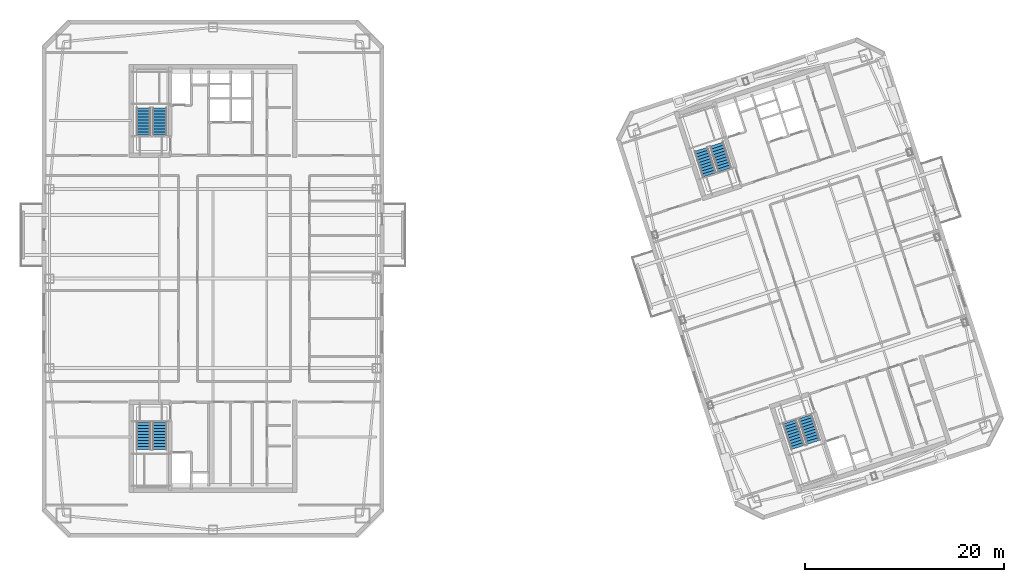
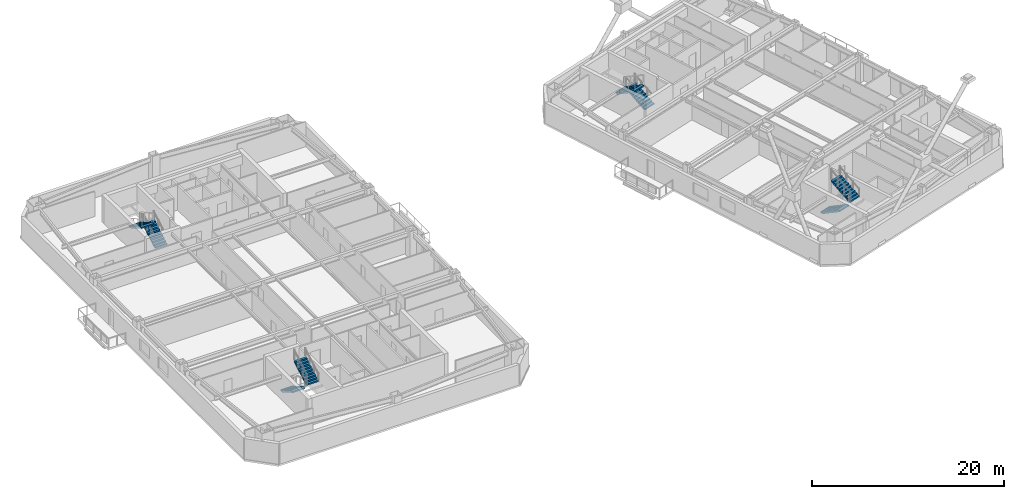
# One storey, part 12 of 16: 8 stair flights, 4 elements without a shape of their own.
"""IFC4 building model written with IfcOpenShell, lengths in metres."""

from ifc_helpers import new_model, si_unit, direction, frame, origin, place, context, subcontext, project, spatial, polyline, outline, extrude, material, type_object, element, aggregate, save


model = new_model("IFC4")

# Units and contexts
model_context = context("Model", 3, precision=1e-05, world=origin(), true_north=direction((0.0, 1.0)))
body_context = subcontext(model_context, "Body", "Model", "MODEL_VIEW")
ifc_project = project(units=[si_unit("LENGTHUNIT", "METRE"), si_unit("AREAUNIT", "SQUARE_METRE"), si_unit("VOLUMEUNIT", "CUBIC_METRE"), si_unit("PLANEANGLEUNIT", "RADIAN"), si_unit("MASSUNIT", "GRAM", prefix="KILO")], contexts=[model_context])

# Site, building, storey
site_placement = place(None, origin())
site = spatial("IfcSite", under=ifc_project, at=site_placement, CompositionType="ELEMENT")
building_placement = place(site_placement, origin())
building = spatial("IfcBuilding", under=site, at=building_placement, Name="Qiaolan Cultural Towers", CompositionType="ELEMENT")
storey_placement = place(building_placement, frame((0.0, 0.0, 198.949951171875)))
storey = spatial("IfcBuildingStorey", under=building, at=storey_placement, Name="L53", CompositionType="ELEMENT", Elevation=198.949951171875)

# Stair, stair flights
ifc_material_1 = material(Name="Concrete C45", Category="concrete")
stair_type = type_object("IfcStairType", Name="STR-CORE-1500", PredefinedType="HALF_TURN_STAIR", material=ifc_material_1)
stair_1_placement = place(storey_placement, origin())
stair_1 = element("IfcStair", 1, at=stair_1_placement, inside=storey, type_object=stair_type, Name="L53 Smokeproof Exit Stair ST-W1", PredefinedType="HALF_TURN_STAIR")
ifc_material_2 = material(Name="Concrete C45", Category="concrete")
stair_flight_type = type_object("IfcStairFlightType", Name="STR-CORE-1500-FL", PredefinedType="STRAIGHT", material=ifc_material_2)
stair_flight_1_placement = place(storey_placement, frame((23.02001953125, 19.550048828125, 0.0), z_axis=(0.0, 0.0, 1.0), x_axis=(0.0, -1.0, 0.0)))
stair_flight_1 = element("IfcStairFlight", 2, at=stair_flight_1_placement, type_object=stair_flight_type, Name="ST-W1 flight 1", NumberOfRisers=10, NumberOfTreads=9, PredefinedType="STRAIGHT", RiserHeight=0.1725, TreadLength=0.3, context=body_context, shape_type="SweptSolid", body=[
    extrude(outline(polyline([(0.0, 0.0), (0.0, 0.172607421875), (0.300048828125, 0.172607421875), (0.300048828125, 0.344970703125), (0.60009765625, 0.344970703125), (0.60009765625, 0.517578125), (0.89990234375, 0.517578125), (0.89990234375, 0.68994140625), (1.199951171875, 0.68994140625), (1.199951171875, 0.862548828125), (1.5, 0.862548828125), (1.5, 1.034912109375), (1.800048828125, 1.034912109375), (1.800048828125, 1.20751953125), (2.10009765625, 1.20751953125), (2.10009765625, 1.3798828125), (2.39990234375, 1.3798828125), (2.39990234375, 1.552490234375), (2.699951171875, 1.552490234375), (2.699951171875, 1.72509765625), (2.699951171875, 1.379638671875), (0.30078125, 0.0), (0.0, 0.0)])), frame((0.0, 0.719970703125, 0.0), z_axis=(0.0, -1.0, 0.0), x_axis=(1.0, 0.0, 0.0)), (0.0, 0.0, 1.0), 1.43994140625),
])
stair_flight_2_placement = place(storey_placement, frame((24.659912109375, 16.85009765625, 1.72509765625), z_axis=(0.0, 0.0, 1.0), x_axis=(0.0, 1.0, 0.0)))
stair_flight_2 = element("IfcStairFlight", 3, at=stair_flight_2_placement, type_object=stair_flight_type, Name="ST-W1 flight 2", NumberOfRisers=10, NumberOfTreads=9, PredefinedType="STRAIGHT", RiserHeight=0.1725, TreadLength=0.3, context=body_context, shape_type="SweptSolid", body=[
    extrude(outline(polyline([(0.0, 0.0), (0.0, 0.172607421875), (0.300048828125, 0.172607421875), (0.300048828125, 0.344970703125), (0.60009765625, 0.344970703125), (0.60009765625, 0.517578125), (0.89990234375, 0.517578125), (0.89990234375, 0.68994140625), (1.199951171875, 0.68994140625), (1.199951171875, 0.862548828125), (1.5, 0.862548828125), (1.5, 1.034912109375), (1.800048828125, 1.034912109375), (1.800048828125, 1.20751953125), (2.10009765625, 1.20751953125), (2.10009765625, 1.3798828125), (2.39990234375, 1.3798828125), (2.39990234375, 1.552490234375), (2.699951171875, 1.552490234375), (2.699951171875, 1.72509765625), (2.699951171875, 1.379638671875), (0.30078125, 0.0), (0.0, 0.0)])), frame((0.0, 0.719970703125, 0.0), z_axis=(0.0, -1.0, 0.0), x_axis=(1.0, 0.0, 0.0)), (0.0, 0.0, 1.0), 1.43994140625),
])
aggregate(stair_1, [stair_flight_1, stair_flight_2])

stair_2_placement = place(storey_placement, origin())
stair_2 = element("IfcStair", 4, at=stair_2_placement, inside=storey, type_object=stair_type, Name="L53 Smokeproof Exit Stair ST-W2", PredefinedType="HALF_TURN_STAIR")
stair_flight_3_placement = place(storey_placement, frame((24.659912109375, 48.449951171875, 0.0), z_axis=(0.0, 0.0, 1.0), x_axis=(0.0, 1.0, 0.0)))
stair_flight_3 = element("IfcStairFlight", 5, at=stair_flight_3_placement, type_object=stair_flight_type, Name="ST-W2 flight 1", NumberOfRisers=10, NumberOfTreads=9, PredefinedType="STRAIGHT", RiserHeight=0.1725, TreadLength=0.3, context=body_context, shape_type="SweptSolid", body=[
    extrude(outline(polyline([(0.0, 0.0), (0.0, 0.172607421875), (0.300048828125, 0.172607421875), (0.300048828125, 0.344970703125), (0.60009765625, 0.344970703125), (0.60009765625, 0.517578125), (0.89990234375, 0.517578125), (0.89990234375, 0.68994140625), (1.199951171875, 0.68994140625), (1.199951171875, 0.862548828125), (1.5, 0.862548828125), (1.5, 1.034912109375), (1.800048828125, 1.034912109375), (1.800048828125, 1.20751953125), (2.10009765625, 1.20751953125), (2.10009765625, 1.3798828125), (2.39990234375, 1.3798828125), (2.39990234375, 1.552490234375), (2.699951171875, 1.552490234375), (2.699951171875, 1.72509765625), (2.699951171875, 1.379638671875), (0.30078125, 0.0), (0.0, 0.0)])), frame((0.0, 0.719970703125, 0.0), z_axis=(0.0, -1.0, 0.0), x_axis=(1.0, 0.0, 0.0)), (0.0, 0.0, 1.0), 1.43994140625),
])
stair_flight_4_placement = place(storey_placement, frame((23.02001953125, 51.14990234375, 1.72509765625), z_axis=(0.0, 0.0, 1.0), x_axis=(0.0, -1.0, 0.0)))
stair_flight_4 = element("IfcStairFlight", 6, at=stair_flight_4_placement, type_object=stair_flight_type, Name="ST-W2 flight 2", NumberOfRisers=10, NumberOfTreads=9, PredefinedType="STRAIGHT", RiserHeight=0.1725, TreadLength=0.3, context=body_context, shape_type="SweptSolid", body=[
    extrude(outline(polyline([(0.0, 0.0), (0.0, 0.172607421875), (0.300048828125, 0.172607421875), (0.300048828125, 0.344970703125), (0.60009765625, 0.344970703125), (0.60009765625, 0.517578125), (0.89990234375, 0.517578125), (0.89990234375, 0.68994140625), (1.199951171875, 0.68994140625), (1.199951171875, 0.862548828125), (1.5, 0.862548828125), (1.5, 1.034912109375), (1.800048828125, 1.034912109375), (1.800048828125, 1.20751953125), (2.10009765625, 1.20751953125), (2.10009765625, 1.3798828125), (2.39990234375, 1.3798828125), (2.39990234375, 1.552490234375), (2.699951171875, 1.552490234375), (2.699951171875, 1.72509765625), (2.699951171875, 1.379638671875), (0.30078125, 0.0), (0.0, 0.0)])), frame((0.0, 0.719970703125, 0.0), z_axis=(0.0, -1.0, 0.0), x_axis=(1.0, 0.0, 0.0)), (0.0, 0.0, 1.0), 1.43994140625),
])
aggregate(stair_2, [stair_flight_3, stair_flight_4])

stair_3_placement = place(storey_placement, origin())
stair_3 = element("IfcStair", 7, at=stair_3_placement, inside=storey, type_object=stair_type, Name="L53 Smokeproof Exit Stair ST-E1", PredefinedType="HALF_TURN_STAIR")
stair_flight_5_placement = place(storey_placement, frame((87.96484375, 19.6171875, 0.0), z_axis=(0.0, 0.0, 1.0), x_axis=(0.309016994375, -0.951056516295, 0.0)))
stair_flight_5 = element("IfcStairFlight", 8, at=stair_flight_5_placement, type_object=stair_flight_type, Name="ST-E1 flight 1", NumberOfRisers=10, NumberOfTreads=9, PredefinedType="STRAIGHT", RiserHeight=0.1725, TreadLength=0.3, context=body_context, shape_type="SweptSolid", body=[
    extrude(outline(polyline([(0.0, 0.0), (0.0, 0.172607421875), (0.300048828125, 0.172607421875), (0.300048828125, 0.344970703125), (0.60009765625, 0.344970703125), (0.60009765625, 0.517578125), (0.89990234375, 0.517578125), (0.89990234375, 0.68994140625), (1.199951171875, 0.68994140625), (1.199951171875, 0.862548828125), (1.5, 0.862548828125), (1.5, 1.034912109375), (1.800048828125, 1.034912109375), (1.800048828125, 1.20751953125), (2.10009765625, 1.20751953125), (2.10009765625, 1.3798828125), (2.39990234375, 1.3798828125), (2.39990234375, 1.552490234375), (2.699951171875, 1.552490234375), (2.699951171875, 1.72509765625), (2.699951171875, 1.379638671875), (0.30078125, 0.0), (0.0, 0.0)])), frame((0.0, 0.719970703125, 0.0), z_axis=(0.0, -1.0, 0.0), x_axis=(1.0, 0.0, 0.0)), (0.0, 0.0, 1.0), 1.43994140625),
])
stair_flight_6_placement = place(storey_placement, frame((90.359130859375, 17.55615234375, 1.72509765625), z_axis=(0.0, 0.0, 1.0), x_axis=(-0.309016994375, 0.951056516295, 0.0)))
stair_flight_6 = element("IfcStairFlight", 9, at=stair_flight_6_placement, type_object=stair_flight_type, Name="ST-E1 flight 2", NumberOfRisers=10, NumberOfTreads=9, PredefinedType="STRAIGHT", RiserHeight=0.1725, TreadLength=0.3, context=body_context, shape_type="SweptSolid", body=[
    extrude(outline(polyline([(0.0, 0.0), (0.0, 0.172607421875), (0.300048828125, 0.172607421875), (0.300048828125, 0.344970703125), (0.60009765625, 0.344970703125), (0.60009765625, 0.517578125), (0.89990234375, 0.517578125), (0.89990234375, 0.68994140625), (1.199951171875, 0.68994140625), (1.199951171875, 0.862548828125), (1.5, 0.862548828125), (1.5, 1.034912109375), (1.800048828125, 1.034912109375), (1.800048828125, 1.20751953125), (2.10009765625, 1.20751953125), (2.10009765625, 1.3798828125), (2.39990234375, 1.3798828125), (2.39990234375, 1.552490234375), (2.699951171875, 1.552490234375), (2.699951171875, 1.72509765625), (2.699951171875, 1.379638671875), (0.30078125, 0.0), (0.0, 0.0)])), frame((0.0, 0.719970703125, 0.0), z_axis=(0.0, -1.0, 0.0), x_axis=(1.0, 0.0, 0.0)), (0.0, 0.0, 1.0), 1.43994140625),
])
aggregate(stair_3, [stair_flight_5, stair_flight_6])

stair_4_placement = place(storey_placement, origin())
stair_4 = element("IfcStair", 10, at=stair_4_placement, inside=storey, type_object=stair_type, Name="L53 Smokeproof Exit Stair ST-E2", PredefinedType="HALF_TURN_STAIR")
stair_flight_7_placement = place(storey_placement, frame((81.459228515625, 44.946533203125, 0.0), z_axis=(0.0, 0.0, 1.0), x_axis=(-0.309016994375, 0.951056516295, 0.0)))
stair_flight_7 = element("IfcStairFlight", 11, at=stair_flight_7_placement, type_object=stair_flight_type, Name="ST-E2 flight 1", NumberOfRisers=10, NumberOfTreads=9, PredefinedType="STRAIGHT", RiserHeight=0.1725, TreadLength=0.3, context=body_context, shape_type="SweptSolid", body=[
    extrude(outline(polyline([(0.0, 0.0), (0.0, 0.172607421875), (0.300048828125, 0.172607421875), (0.300048828125, 0.344970703125), (0.60009765625, 0.344970703125), (0.60009765625, 0.517578125), (0.89990234375, 0.517578125), (0.89990234375, 0.68994140625), (1.199951171875, 0.68994140625), (1.199951171875, 0.862548828125), (1.5, 0.862548828125), (1.5, 1.034912109375), (1.800048828125, 1.034912109375), (1.800048828125, 1.20751953125), (2.10009765625, 1.20751953125), (2.10009765625, 1.3798828125), (2.39990234375, 1.3798828125), (2.39990234375, 1.552490234375), (2.699951171875, 1.552490234375), (2.699951171875, 1.72509765625), (2.699951171875, 1.379638671875), (0.30078125, 0.0), (0.0, 0.0)])), frame((0.0, 0.719970703125, 0.0), z_axis=(0.0, -1.0, 0.0), x_axis=(1.0, 0.0, 0.0)), (0.0, 0.0, 1.0), 1.43994140625),
])
stair_flight_8_placement = place(storey_placement, frame((79.065185546875, 47.007568359375, 1.72509765625), z_axis=(0.0, 0.0, 1.0), x_axis=(0.309016994375, -0.951056516295, 0.0)))
stair_flight_8 = element("IfcStairFlight", 12, at=stair_flight_8_placement, type_object=stair_flight_type, Name="ST-E2 flight 2", NumberOfRisers=10, NumberOfTreads=9, PredefinedType="STRAIGHT", RiserHeight=0.1725, TreadLength=0.3, context=body_context, shape_type="SweptSolid", body=[
    extrude(outline(polyline([(0.0, 0.0), (0.0, 0.172607421875), (0.300048828125, 0.172607421875), (0.300048828125, 0.344970703125), (0.60009765625, 0.344970703125), (0.60009765625, 0.517578125), (0.89990234375, 0.517578125), (0.89990234375, 0.68994140625), (1.199951171875, 0.68994140625), (1.199951171875, 0.862548828125), (1.5, 0.862548828125), (1.5, 1.034912109375), (1.800048828125, 1.034912109375), (1.800048828125, 1.20751953125), (2.10009765625, 1.20751953125), (2.10009765625, 1.3798828125), (2.39990234375, 1.3798828125), (2.39990234375, 1.552490234375), (2.699951171875, 1.552490234375), (2.699951171875, 1.72509765625), (2.699951171875, 1.379638671875), (0.30078125, 0.0), (0.0, 0.0)])), frame((0.0, 0.719970703125, 0.0), z_axis=(0.0, -1.0, 0.0), x_axis=(1.0, 0.0, 0.0)), (0.0, 0.0, 1.0), 1.43994140625),
])
aggregate(stair_4, [stair_flight_7, stair_flight_8])

save(model, "model.ifc")
